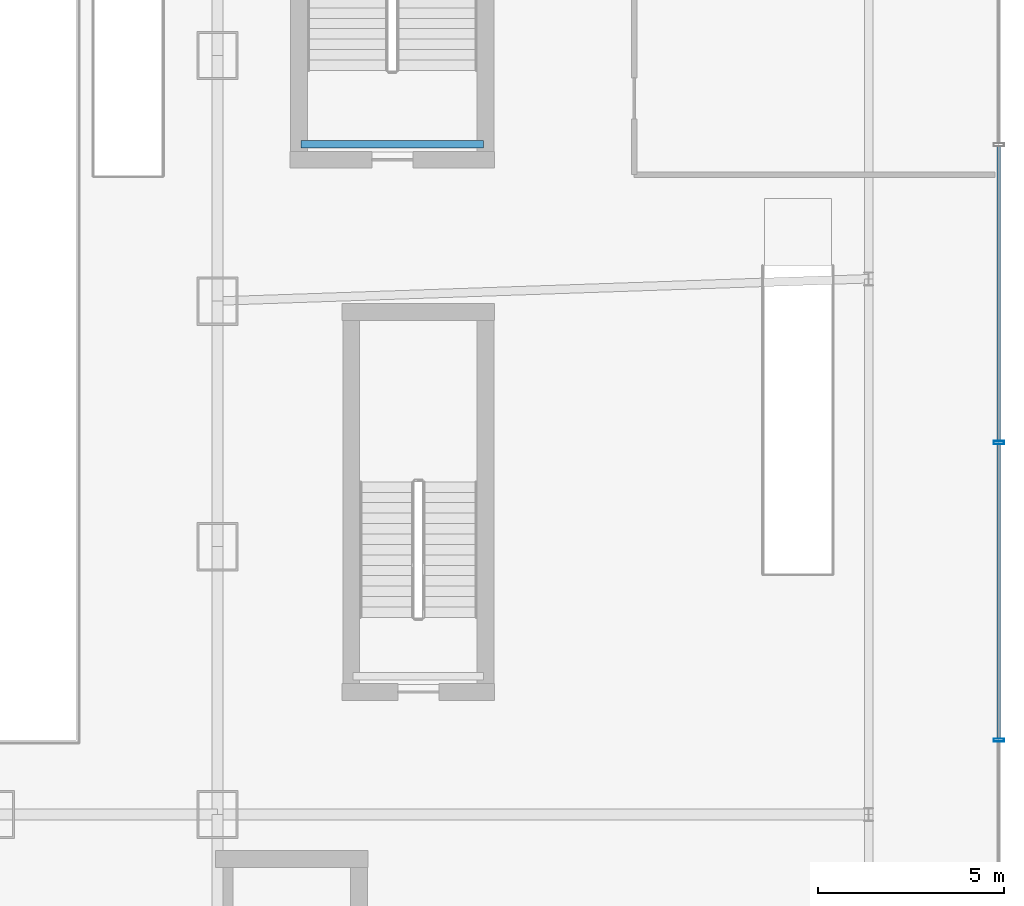
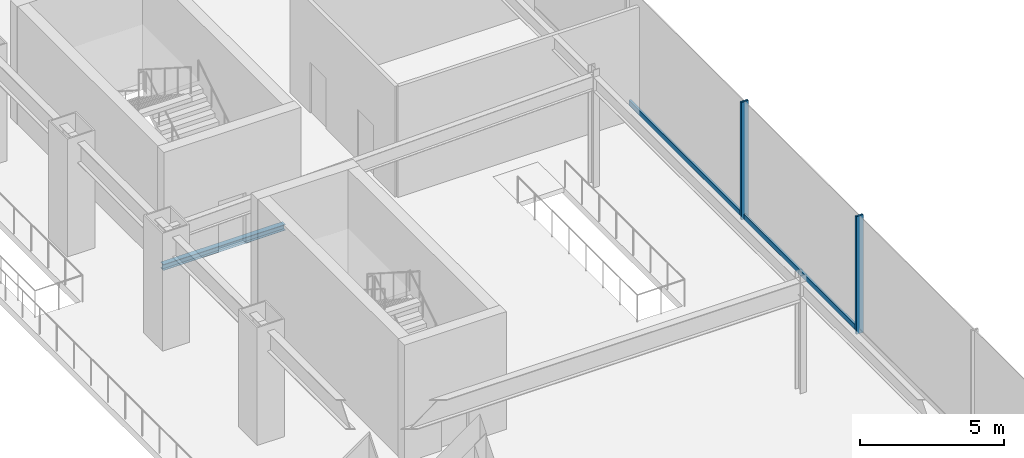
# One storey, part 23 of 39: 4 members, 1 beam, 1 element without a shape of its own.
"""IFC4 building model written with IfcOpenShell, lengths in metres."""

from ifc_helpers import new_model, si_unit, derived_unit, direction, frame, origin, origin_2d, place, context, subcontext, project, spatial, hollow_rectangle, i_section, extrude, source, transform, mapped, material, material_profile, profile_set, type_object, element, aggregate, save


model = new_model("IFC4")

# Units and contexts
model_context = context("Model", 3, precision=1e-05, world=origin(), true_north=direction((0.0, 1.0)))
body_context = subcontext(model_context, "Body", "Model", "MODEL_VIEW")
ifc_project = project(units=[si_unit("LENGTHUNIT", "METRE"), si_unit("AREAUNIT", "SQUARE_METRE"), si_unit("VOLUMEUNIT", "CUBIC_METRE"), si_unit("PLANEANGLEUNIT", "RADIAN"), si_unit("MASSUNIT", "GRAM", prefix="KILO"), derived_unit("THERMALTRANSMITTANCEUNIT", [(si_unit("POWERUNIT", "WATT"), 1), (si_unit("LENGTHUNIT", "METRE"), -2), (si_unit("THERMODYNAMICTEMPERATUREUNIT", "KELVIN"), -1)])], contexts=[model_context])

# Site, building, storey
site_placement = place(None, origin())
site = spatial("IfcSite", under=ifc_project, at=site_placement, CompositionType="ELEMENT")
building_placement = place(site_placement, origin())
building = spatial("IfcBuilding", under=site, at=building_placement, Name="Skarnbrae Concourse Arena and Tower", CompositionType="ELEMENT")
storey_placement = place(building_placement, frame((0.0, 0.0, 11.0)))
storey = spatial("IfcBuildingStorey", under=building, at=storey_placement, Name="L02", CompositionType="ELEMENT", Elevation=11.0)

# Curtain wall, members
ifc_material_1 = material(Name="Bronze anodised aluminium 6063-T6", Category="aluminium")
curtain_wall_type = type_object("IfcCurtainWallType", Name="CW-SYS-01-PODIUM", PredefinedType="USERDEFINED", material=ifc_material_1)
curtain_wall_placement = place(storey_placement, origin())
curtain_wall = element("IfcCurtainWall", 1, at=curtain_wall_placement, inside=storey, type_object=curtain_wall_type, Name="L02 Unitised curtain wall CW-L02-E", ObjectType="UNITISED CURTAIN WALL", PredefinedType="USERDEFINED")
ifc_material_profile_1 = material_profile(ifc_material_1, hollow_rectangle(XDim=0.0849609375, YDim=0.280029296875, WallThickness=0.006103515625, at=origin_2d()), Name="ALU-MULL-85X280")
ifc_profile_set_1 = profile_set([ifc_material_profile_1], Name="Bronze anodised aluminium 6063-T6")
member_type_1 = type_object("IfcMemberType", Name="CWM-CW-01", PredefinedType="MULLION", material=ifc_profile_set_1)
shared_shape_1 = source(origin(), body_context, "Body", "SweptSolid", [
    extrude(hollow_rectangle(XDim=0.0849609375, YDim=0.280029296875, WallThickness=0.006103515625, at=origin_2d()), origin(), (0.0, 0.0, 1.0), 5.0),
])
member_1_placement = place(storey_placement, frame((82.0, 16.0, 0.0), z_axis=(0.0, 0.0, 1.0), x_axis=(0.0, 1.0, 0.0)))
member_1 = element("IfcMember", 2, at=member_1_placement, type_object=member_type_1, Name="CW-L02-E Mullion 3", PredefinedType="MULLION", context=body_context, shape_type="MappedRepresentation", body=[
    mapped(shared_shape_1, transform((0.0, 0.0, 0.0))),
])
member_2_placement = place(storey_placement, frame((82.0, 24.0, 0.0), z_axis=(0.0, 0.0, 1.0), x_axis=(0.0, 1.0, 0.0)))
member_2 = element("IfcMember", 3, at=member_2_placement, type_object=member_type_1, Name="CW-L02-E Mullion 4", PredefinedType="MULLION", context=body_context, shape_type="MappedRepresentation", body=[
    mapped(shared_shape_1, transform((0.0, 0.0, 0.0))),
])
ifc_material_profile_2 = material_profile(ifc_material_1, hollow_rectangle(XDim=0.0849609375, YDim=0.219970703125, WallThickness=0.006103515625, at=origin_2d()), Name="ALU-TRAN-85X220")
ifc_profile_set_2 = profile_set([ifc_material_profile_2], Name="Bronze anodised aluminium 6063-T6")
member_type_2 = type_object("IfcMemberType", Name="CWT-CW-01", PredefinedType="USERDEFINED", material=ifc_profile_set_2)
shared_shape_2 = source(origin(), body_context, "Body", "SweptSolid", [
    extrude(hollow_rectangle(XDim=0.0849609375, YDim=0.219970703125, WallThickness=0.006103515625, at=origin_2d()), origin(), (0.0, 0.0, 1.0), 7.9150390625),
])
member_3_placement = place(storey_placement, frame((82.0, 16.04248046875, 0.110107421875), z_axis=(0.0, 1.0, 0.0), x_axis=(-1.0, 0.0, 0.0)))
member_3 = element("IfcMember", 4, at=member_3_placement, type_object=member_type_2, Name="CW-L02-E Transom 3", ObjectType="TRANSOM", PredefinedType="USERDEFINED", context=body_context, shape_type="MappedRepresentation", body=[
    mapped(shared_shape_2, transform((0.0, 0.0, 0.0))),
])
member_4_placement = place(storey_placement, frame((82.0, 24.04248046875, 0.110107421875), z_axis=(0.0, 1.0, 0.0), x_axis=(-1.0, 0.0, 0.0)))
member_4 = element("IfcMember", 5, at=member_4_placement, type_object=member_type_2, Name="CW-L02-E Transom 4", ObjectType="TRANSOM", PredefinedType="USERDEFINED", context=body_context, shape_type="MappedRepresentation", body=[
    mapped(shared_shape_2, transform((0.0, 0.0, 0.0))),
])
aggregate(curtain_wall, [member_1, member_2, member_3, member_4])

# Beam
ifc_material_2 = material(Name="Steel CSA G40.21 350W", Category="steel")
ifc_material_profile_3 = material_profile(ifc_material_2, i_section(OverallWidth=0.202880859375, OverallDepth=0.251953125, WebThickness=0.008056640625, FlangeThickness=0.013427734375, at=origin_2d()), Name="W250X58")
ifc_profile_set_3 = profile_set([ifc_material_profile_3], Name="Steel CSA G40.21 350W")
beam_type = type_object("IfcBeamType", Name="BM-LINTEL-W250X58", PredefinedType="LINTEL", material=ifc_profile_set_3)
shared_shape_3 = source(origin(), body_context, "Body", "SweptSolid", [
    extrude(i_section(OverallWidth=0.202880859375, OverallDepth=0.251953125, WebThickness=0.008056640625, FlangeThickness=0.013427734375, at=origin_2d()), origin(), (0.0, 0.0, 1.0), 4.89990234375),
])
beam_placement = place(storey_placement, frame((68.14990234375, 32.02001953125, -0.325927734375), z_axis=(-1.0, 0.0, 0.0), x_axis=(0.0, -1.0, 0.0)))
element("IfcBeam", 6, at=beam_placement, inside=storey, type_object=beam_type, Name="L02 Stair ST-A4 near landing soffit beam", PredefinedType="LINTEL", context=body_context, shape_type="MappedRepresentation", body=[
    mapped(shared_shape_3, transform((0.0, 0.0, 0.0))),
])

save(model, "model.ifc")
